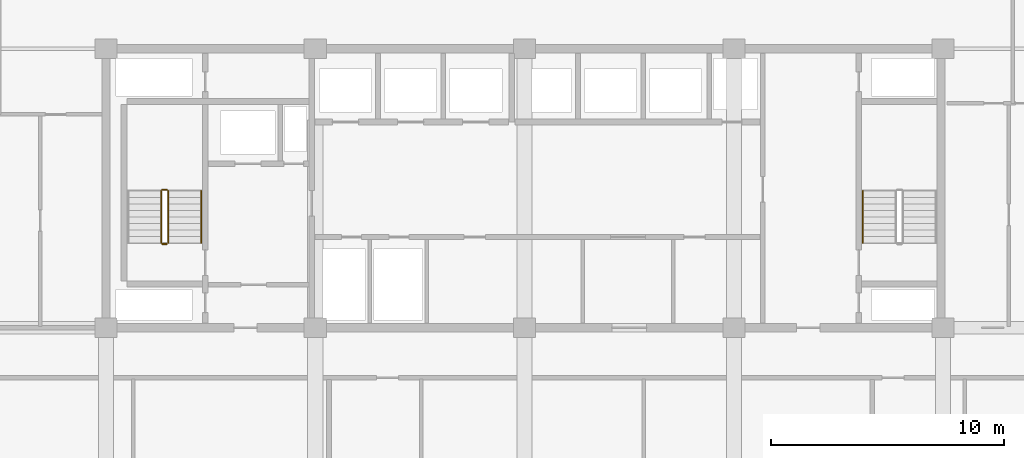
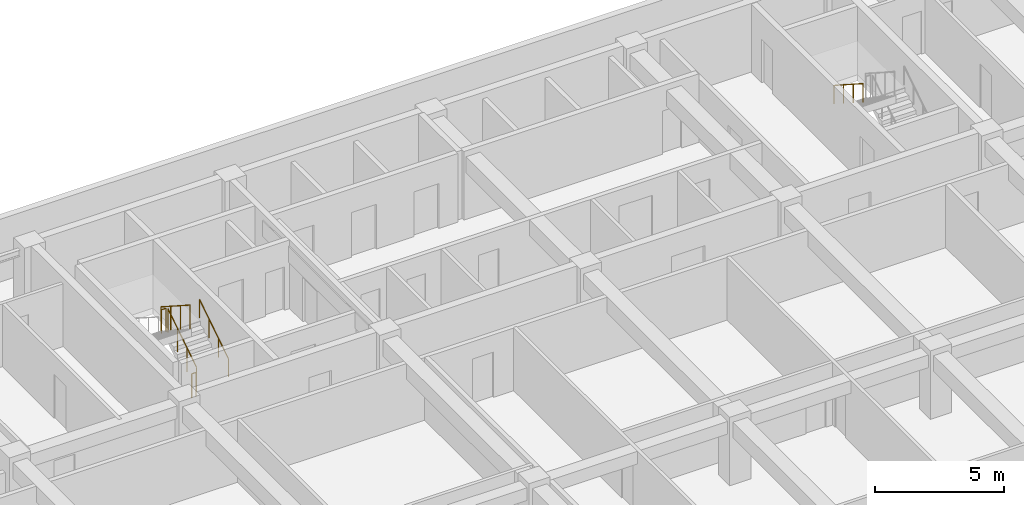
# One storey, part 20 of 23: 6 railings.
"""IFC4 building model written with IfcOpenShell, lengths in metres."""

from ifc_helpers import new_model, si_unit, direction, frame, origin, origin_2d, place, context, subcontext, project, spatial, circle, extrude, material, type_object, element, save


model = new_model("IFC4")

# Units and contexts
model_context = context("Model", 3, precision=1e-05, world=origin(), true_north=direction((0.0, 1.0)))
body_context = subcontext(model_context, "Body", "Model", "MODEL_VIEW")
ifc_project = project(units=[si_unit("LENGTHUNIT", "METRE"), si_unit("AREAUNIT", "SQUARE_METRE"), si_unit("VOLUMEUNIT", "CUBIC_METRE"), si_unit("PLANEANGLEUNIT", "RADIAN"), si_unit("MASSUNIT", "GRAM", prefix="KILO")], contexts=[model_context])

# Site, building, storey
site_placement = place(None, origin())
site = spatial("IfcSite", under=ifc_project, at=site_placement, CompositionType="ELEMENT")
building_placement = place(site_placement, origin())
building = spatial("IfcBuilding", under=site, at=building_placement, Name="Korimba Cascade Residences", CompositionType="ELEMENT")
storey_placement = place(building_placement, frame((0.0, 0.0, 53.25)))
storey = spatial("IfcBuildingStorey", under=building, at=storey_placement, Name="L14", CompositionType="ELEMENT", Elevation=53.25)

# Railings
ifc_material_1 = material(Name="Painted Steel Stairwell Guardrail", Category="steel")
railing_type_1 = type_object("IfcRailingType", Name="RLG-ST-GD1150", PredefinedType="GUARDRAIL", material=ifc_material_1)
railing_1_placement = place(storey_placement, frame((84.77001953125, 22.050048828125, 0.1806640625)))
element("IfcRailing", 1, at=railing_1_placement, inside=storey, type_object=railing_type_1, Name="L14 ST-E1 stair guard 1", PredefinedType="GUARDRAIL", context=body_context, shape_type="SweptSolid", body=[
    extrude(circle(Radius=0.02392578125, at=origin_2d()), frame((0.0, 0.0, 1.1259765625), z_axis=(0.0, 0.840436612492, 0.541909863706), x_axis=(-1.0, 0.0, 0.0)), (0.0, 0.0, 1.0), 2.665283203125),
    extrude(circle(Radius=0.02099609375, at=origin_2d()), origin(), (0.0, 0.0, 1.0), 1.101806640625),
    extrude(circle(Radius=0.02099609375, at=origin_2d()), frame((0.0, 0.74658203125, 0.4814453125)), (0.0, 0.0, 1.0), 1.101806640625),
    extrude(circle(Radius=0.02099609375, at=origin_2d()), frame((0.0, 1.493408203125, 0.962890625)), (0.0, 0.0, 1.0), 1.101806640625),
    extrude(circle(Radius=0.02099609375, at=origin_2d()), frame((0.0, 2.239990234375, 1.4443359375)), (0.0, 0.0, 1.0), 1.101806640625),
])
railing_2_placement = place(storey_placement, frame((84.719970703125, 24.340087890625, 1.625)))
element("IfcRailing", 2, at=railing_2_placement, inside=storey, type_object=railing_type_1, Name="L14 ST-E1 stair guard 2", PredefinedType="GUARDRAIL", context=body_context, shape_type="SweptSolid", body=[
    extrude(circle(Radius=0.02392578125, at=origin_2d()), frame((0.0, 0.0, 1.1259765625), z_axis=(-1.0, 0.0, 0.0), x_axis=(0.0, -1.0, 0.0)), (0.0, 0.0, 1.0), 0.199951171875),
    extrude(circle(Radius=0.02099609375, at=origin_2d()), origin(), (0.0, 0.0, 1.0), 1.101806640625),
    extrude(circle(Radius=0.02099609375, at=origin_2d()), frame((-0.199951171875, 0.0, 0.0)), (0.0, 0.0, 1.0), 1.101806640625),
])
railing_3_placement = place(storey_placement, frame((84.469970703125, 24.2900390625, 1.8056640625)))
element("IfcRailing", 3, at=railing_3_placement, inside=storey, type_object=railing_type_1, Name="L14 ST-E1 stair guard 3", PredefinedType="GUARDRAIL", context=body_context, shape_type="SweptSolid", body=[
    extrude(circle(Radius=0.02392578125, at=origin_2d()), frame((0.0, 0.0, 1.1259765625), z_axis=(0.0, -0.840436612492, 0.541909863706), x_axis=(1.0, 0.0, 0.0)), (0.0, 0.0, 1.0), 2.665283203125),
    extrude(circle(Radius=0.02099609375, at=origin_2d()), origin(), (0.0, 0.0, 1.0), 1.101806640625),
    extrude(circle(Radius=0.02099609375, at=origin_2d()), frame((0.0, -0.74658203125, 0.4814453125)), (0.0, 0.0, 1.0), 1.101806640625),
    extrude(circle(Radius=0.02099609375, at=origin_2d()), frame((0.0, -1.493408203125, 0.962890625)), (0.0, 0.0, 1.0), 1.101806640625),
    extrude(circle(Radius=0.02099609375, at=origin_2d()), frame((0.0, -2.239990234375, 1.4443359375)), (0.0, 0.0, 1.0), 1.101806640625),
])
railing_4_placement = place(storey_placement, frame((84.719970703125, 22.0, 0.0)))
element("IfcRailing", 4, at=railing_4_placement, inside=storey, type_object=railing_type_1, Name="L14 ST-E1 stair guard 4", PredefinedType="GUARDRAIL", context=body_context, shape_type="SweptSolid", body=[
    extrude(circle(Radius=0.02392578125, at=origin_2d()), frame((0.0, 0.0, 1.1259765625), z_axis=(-1.0, 0.0, 0.0), x_axis=(0.0, -1.0, 0.0)), (0.0, 0.0, 1.0), 0.199951171875),
    extrude(circle(Radius=0.02099609375, at=origin_2d()), origin(), (0.0, 0.0, 1.0), 1.101806640625),
    extrude(circle(Radius=0.02099609375, at=origin_2d()), frame((-0.199951171875, 0.0, 0.0)), (0.0, 0.0, 1.0), 1.101806640625),
])
ifc_material_2 = material(Name="Brushed Stainless Steel Handrail", Category="steel")
railing_type_2 = type_object("IfcRailingType", Name="RLG-ST-HR900", PredefinedType="HANDRAIL", material=ifc_material_2)
railing_5_placement = place(storey_placement, frame((86.18994140625, 22.050048828125, 0.364990234375)))
element("IfcRailing", 5, at=railing_5_placement, inside=storey, type_object=railing_type_2, Name="L14 ST-E1 stair handrail 1", PredefinedType="HANDRAIL", context=body_context, shape_type="SweptSolid", body=[
    extrude(circle(Radius=0.02392578125, at=origin_2d()), frame((0.0, 0.0, 0.8759765625), z_axis=(0.0, 0.840436612492, 0.541909863706), x_axis=(-1.0, 0.0, 0.0)), (0.0, 0.0, 1.0), 2.665283203125),
    extrude(circle(Radius=0.02099609375, at=origin_2d()), origin(), (0.0, 0.0, 1.0), 0.851806640625),
    extrude(circle(Radius=0.02099609375, at=origin_2d()), frame((0.0, 0.74658203125, 0.4814453125)), (0.0, 0.0, 1.0), 0.851806640625),
    extrude(circle(Radius=0.02099609375, at=origin_2d()), frame((0.0, 1.493408203125, 0.962890625)), (0.0, 0.0, 1.0), 0.851806640625),
    extrude(circle(Radius=0.02099609375, at=origin_2d()), frame((0.0, 2.239990234375, 1.4443359375)), (0.0, 0.0, 1.0), 0.851806640625),
])
railing_6_placement = place(storey_placement, frame((114.64990234375, 24.2900390625, 1.989990234375)))
element("IfcRailing", 6, at=railing_6_placement, inside=storey, type_object=railing_type_2, Name="L14 ST-E2 stair handrail 2", PredefinedType="HANDRAIL", context=body_context, shape_type="SweptSolid", body=[
    extrude(circle(Radius=0.02392578125, at=origin_2d()), frame((0.0, 0.0, 0.8759765625), z_axis=(0.0, -0.840436612492, 0.541909863706), x_axis=(1.0, 0.0, 0.0)), (0.0, 0.0, 1.0), 2.665283203125),
    extrude(circle(Radius=0.02099609375, at=origin_2d()), origin(), (0.0, 0.0, 1.0), 0.851806640625),
    extrude(circle(Radius=0.02099609375, at=origin_2d()), frame((0.0, -0.74658203125, 0.4814453125)), (0.0, 0.0, 1.0), 0.851806640625),
    extrude(circle(Radius=0.02099609375, at=origin_2d()), frame((0.0, -1.493408203125, 0.962890625)), (0.0, 0.0, 1.0), 0.851806640625),
    extrude(circle(Radius=0.02099609375, at=origin_2d()), frame((0.0, -2.239990234375, 1.4443359375)), (0.0, 0.0, 1.0), 0.851806640625),
])

save(model, "model.ifc")
